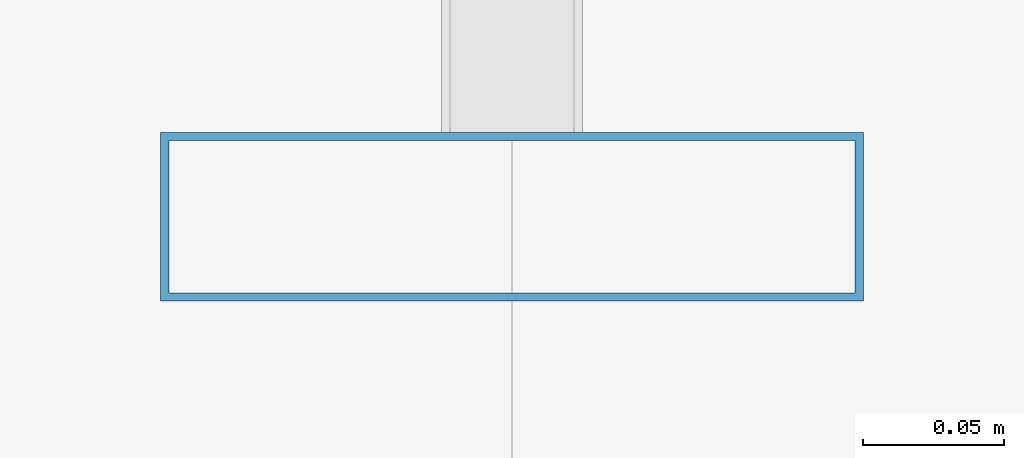
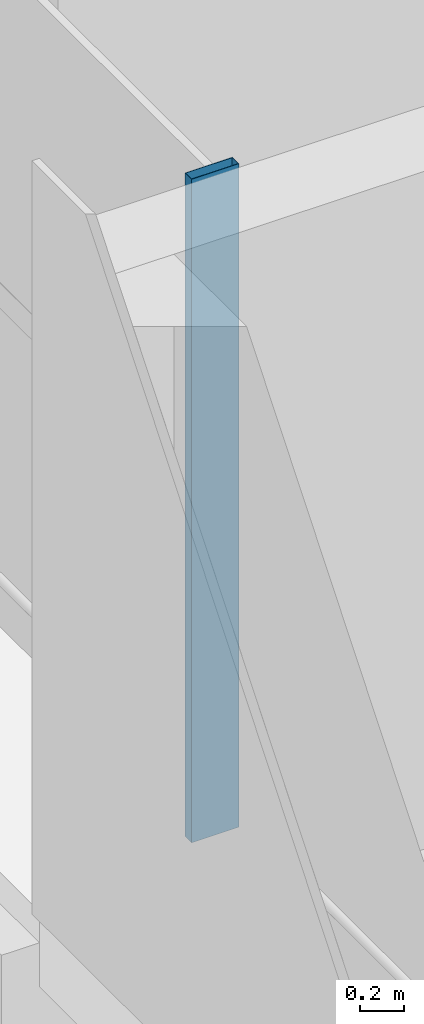
# One storey, part 7 of 17: 1 member, 1 element without a shape of its own.
"""IFC4 building model written with IfcOpenShell, lengths in metres."""

from ifc_helpers import new_model, si_unit, direction, frame, origin, origin_2d, place, context, subcontext, project, spatial, hollow_rectangle, extrude, material, material_profile, profile_set, type_object, element, aggregate, save


model = new_model("IFC4")

# Units and contexts
model_context = context("Model", 3, precision=1e-05, world=origin(), true_north=direction((0.0, 1.0)))
body_context = subcontext(model_context, "Body", "Model", "MODEL_VIEW")
ifc_project = project(units=[si_unit("LENGTHUNIT", "METRE"), si_unit("AREAUNIT", "SQUARE_METRE"), si_unit("VOLUMEUNIT", "CUBIC_METRE"), si_unit("PLANEANGLEUNIT", "RADIAN"), si_unit("MASSUNIT", "GRAM", prefix="KILO")], contexts=[model_context])

# Site, building, storey
site_placement = place(None, origin())
site = spatial("IfcSite", under=ifc_project, at=site_placement, CompositionType="ELEMENT")
building_placement = place(site_placement, origin())
building = spatial("IfcBuilding", under=site, at=building_placement, Name="Altepetl Exchange Towers", CompositionType="ELEMENT")
storey_placement = place(building_placement, frame((0.0, 0.0, 255.199951171875)))
storey = spatial("IfcBuildingStorey", under=building, at=storey_placement, Name="L65", CompositionType="ELEMENT", Elevation=255.199951171875)

# Curtain wall, member
ifc_material_1 = material(Name="Aluminium 6063-T6 glazing", Category="aluminium")
curtain_wall_type = type_object("IfcCurtainWallType", Name="Executive flush glazing system", PredefinedType="NOTDEFINED", material=ifc_material_1)
curtain_wall_placement = place(storey_placement, origin())
curtain_wall = element("IfcCurtainWall", 1, at=curtain_wall_placement, inside=storey, type_object=curtain_wall_type, Name="CW4 run", PredefinedType="NOTDEFINED")
ifc_material_2 = material(Name="Aluminium 6063-T6", Category="aluminium")
ifc_material_profile = material_profile(ifc_material_2, hollow_rectangle(XDim=0.06005859375, YDim=0.25, WallThickness=0.0029296875, at=origin_2d()), Name="Mullion 60x250 hollow aluminium")
ifc_profile_set = profile_set([ifc_material_profile], Name="Aluminium 6063-T6")
member_type = type_object("IfcMemberType", Name="Mullion 60x250 hollow aluminium", PredefinedType="MULLION", material=ifc_profile_set)
member_placement = place(storey_placement, frame((41.5, 58.655029296875, 0.0), z_axis=(0.0, 0.0, 1.0), x_axis=(0.0, -1.0, 0.0)))
member = element("IfcMember", 2, at=member_placement, type_object=member_type, Name="MU3 mullion", PredefinedType="MULLION", context=body_context, shape_type="SweptSolid", body=[
    extrude(hollow_rectangle(XDim=0.06005859375, YDim=0.25, WallThickness=0.0029296875, at=origin_2d()), origin(), (0.0, 0.0, 1.0), 3.699951171875),
])
aggregate(curtain_wall, [member])

save(model, "model.ifc")
